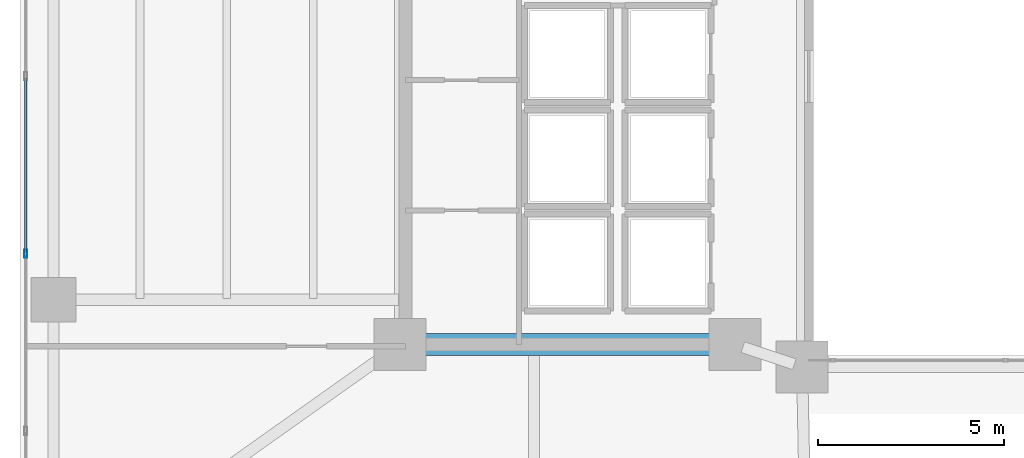
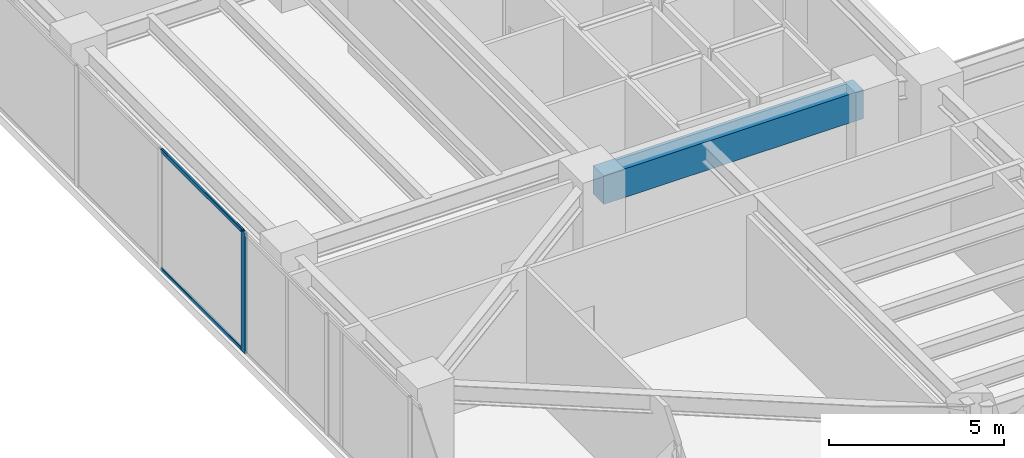
# One storey, part 6 of 39: 3 members, 1 beam, 1 element without a shape of its own.
"""IFC4 building model written with IfcOpenShell, lengths in metres."""

from ifc_helpers import new_model, si_unit, direction, frame, origin, origin_2d, place, context, subcontext, project, spatial, rectangle, hollow_rectangle, extrude, material, layer, layer_set, material_profile, profile_set, type_object, element, aggregate, save


model = new_model("IFC4")

# Units and contexts
model_context = context("Model", 3, precision=1e-05, world=origin(), true_north=direction((0.0, 1.0)))
body_context = subcontext(model_context, "Body", "Model", "MODEL_VIEW")
ifc_project = project(units=[si_unit("LENGTHUNIT", "METRE"), si_unit("AREAUNIT", "SQUARE_METRE"), si_unit("VOLUMEUNIT", "CUBIC_METRE"), si_unit("PLANEANGLEUNIT", "RADIAN"), si_unit("MASSUNIT", "GRAM", prefix="KILO")], contexts=[model_context])

# Site, building, storey
site_placement = place(None, origin())
site = spatial("IfcSite", under=ifc_project, at=site_placement, CompositionType="ELEMENT")
building_placement = place(site_placement, origin())
building = spatial("IfcBuilding", under=site, at=building_placement, Name="Tarnavaz Court Tower", CompositionType="ELEMENT")
storey_placement = place(building_placement, frame((0.0, 0.0, 68.699951171875)))
storey = spatial("IfcBuildingStorey", under=building, at=storey_placement, Name="L18", CompositionType="ELEMENT", Elevation=68.699951171875)

# Beam
ifc_material_1 = material(Name="Concrete C60/75", Category="concrete")
ifc_material_profile_1 = material_profile(ifc_material_1, rectangle(XDim=0.60009765625, YDim=1.0, at=origin_2d()), Name="RC 600X1000")
ifc_profile_set_1 = profile_set([ifc_material_profile_1], Name="Concrete C60/75")
beam_type = type_object("IfcBeamType", Name="BM-CB1000", PredefinedType="LINTEL", material=ifc_profile_set_1)
beam_placement = place(storey_placement, frame((-18.3798828125, -7.199951171875, 3.699951171875), z_axis=(1.0, 0.0, 0.0), x_axis=(0.0, 1.0, 0.0)))
element("IfcBeam", 1, at=beam_placement, inside=storey, type_object=beam_type, Name="L18 Beam IN-CW-SO-CW-SI", PredefinedType="LINTEL", context=body_context, shape_type="SweptSolid", body=[
    extrude(rectangle(XDim=0.60009765625, YDim=1.0, at=origin_2d()), origin(), (0.0, 0.0, 1.0), 8.559814453125),
])

# Curtain wall, members
ifc_material_2 = material(Name="Anodised Aluminium 6063-T6 and Solar Low-E Glazing", Category="aluminium")
ifc_layer = layer(ifc_material_2, 0.199951171875)
ifc_layer_set = layer_set([ifc_layer], Name="Anodised Aluminium 6063-T6 and Solar Low-E Glazing")
curtain_wall_type = type_object("IfcCurtainWallType", Name="CW-SYS-05", PredefinedType="NOTDEFINED", material=ifc_layer_set)
curtain_wall_placement = place(storey_placement, origin())
curtain_wall = element("IfcCurtainWall", 2, at=curtain_wall_placement, inside=storey, type_object=curtain_wall_type, Name="L18 Sky-Portal Curtain Wall 2", PredefinedType="NOTDEFINED")
ifc_material_3 = material(Name="Anodised Aluminium 6063-T6", Category="aluminium")
ifc_material_profile_2 = material_profile(ifc_material_3, hollow_rectangle(XDim=0.0849609375, YDim=0.219970703125, WallThickness=0.006103515625, InnerFilletRadius=0.006103515625, OuterFilletRadius=0.011962890625, at=origin_2d()), Name="ALU RHS 220X85X6")
ifc_profile_set_2 = profile_set([ifc_material_profile_2], Name="Anodised Aluminium 6063-T6")
member_type_1 = type_object("IfcMemberType", Name="CW-MUL-220", PredefinedType="MULLION", material=ifc_profile_set_2)
member_1_placement = place(storey_placement, frame((-28.64990234375, -4.762451171875, 0.0), z_axis=(0.0, 0.0, 1.0), x_axis=(-1.0, 0.0, 0.0)))
member_1 = element("IfcMember", 3, at=member_1_placement, type_object=member_type_1, Name="CW mullion 4", PredefinedType="MULLION", context=body_context, shape_type="SweptSolid", body=[
    extrude(hollow_rectangle(XDim=0.0849609375, YDim=0.219970703125, WallThickness=0.006103515625, InnerFilletRadius=0.006103515625, OuterFilletRadius=0.011962890625, at=origin_2d()), origin(), (0.0, 0.0, 1.0), 4.199951171875),
])
ifc_material_profile_3 = material_profile(ifc_material_3, hollow_rectangle(XDim=0.06494140625, YDim=0.139892578125, WallThickness=0.00390625, InnerFilletRadius=0.00390625, OuterFilletRadius=0.008056640625, at=origin_2d()), Name="ALU RHS 140X65X4")
ifc_profile_set_3 = profile_set([ifc_material_profile_3], Name="Anodised Aluminium 6063-T6")
member_type_2 = type_object("IfcMemberType", Name="CW-TRN-140", PredefinedType="USERDEFINED", material=ifc_profile_set_3)
member_2_placement = place(storey_placement, frame((-28.64990234375, -4.719970703125, 0.032470703125), z_axis=(0.0, 1.0, 0.0), x_axis=(-1.0, 0.0, 0.0)))
member_2 = element("IfcMember", 4, at=member_2_placement, type_object=member_type_2, Name="CW transom 4.1", ObjectType="TRANSOM", PredefinedType="USERDEFINED", context=body_context, shape_type="SweptSolid", body=[
    extrude(hollow_rectangle(XDim=0.06494140625, YDim=0.139892578125, WallThickness=0.00390625, InnerFilletRadius=0.00390625, OuterFilletRadius=0.008056640625, at=origin_2d()), origin(), (0.0, 0.0, 1.0), 4.677490234375),
])
member_3_placement = place(storey_placement, frame((-28.64990234375, -4.719970703125, 4.16748046875), z_axis=(0.0, 1.0, 0.0), x_axis=(-1.0, 0.0, 0.0)))
member_3 = element("IfcMember", 5, at=member_3_placement, type_object=member_type_2, Name="CW transom 4.2", ObjectType="TRANSOM", PredefinedType="USERDEFINED", context=body_context, shape_type="SweptSolid", body=[
    extrude(hollow_rectangle(XDim=0.06494140625, YDim=0.139892578125, WallThickness=0.00390625, InnerFilletRadius=0.00390625, OuterFilletRadius=0.008056640625, at=origin_2d()), origin(), (0.0, 0.0, 1.0), 4.677490234375),
])
aggregate(curtain_wall, [member_1, member_2, member_3])

save(model, "model.ifc")
